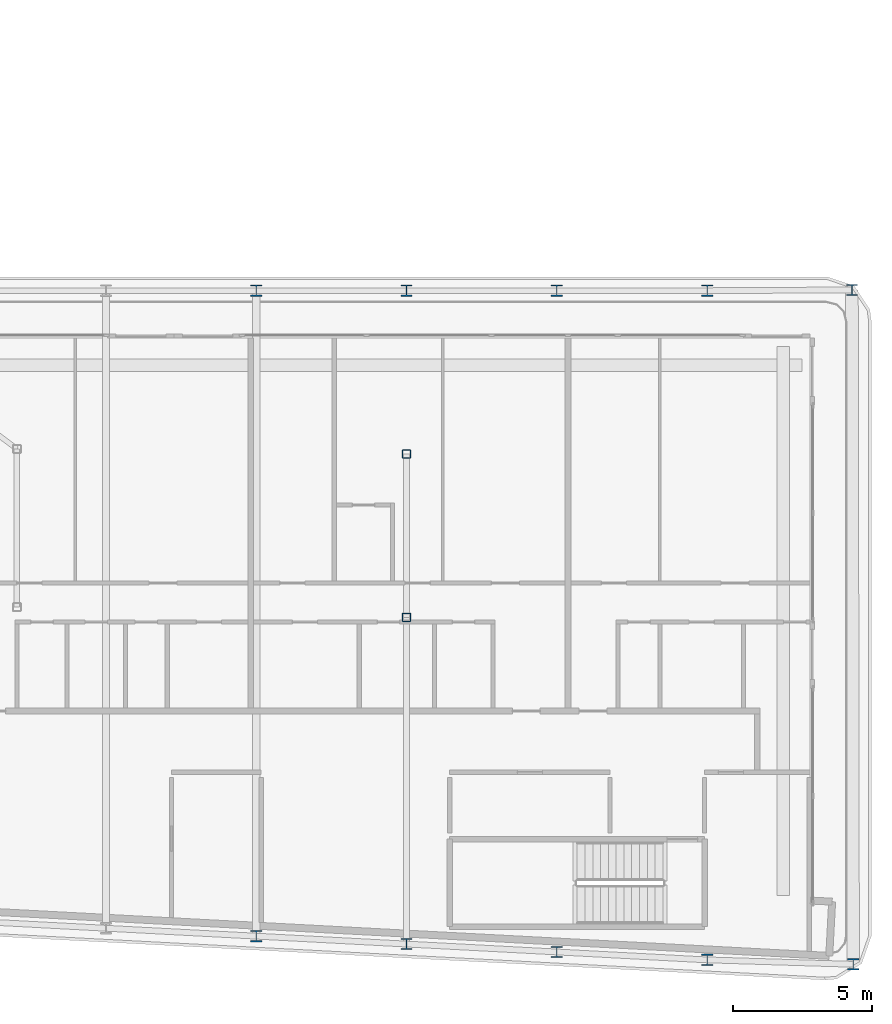
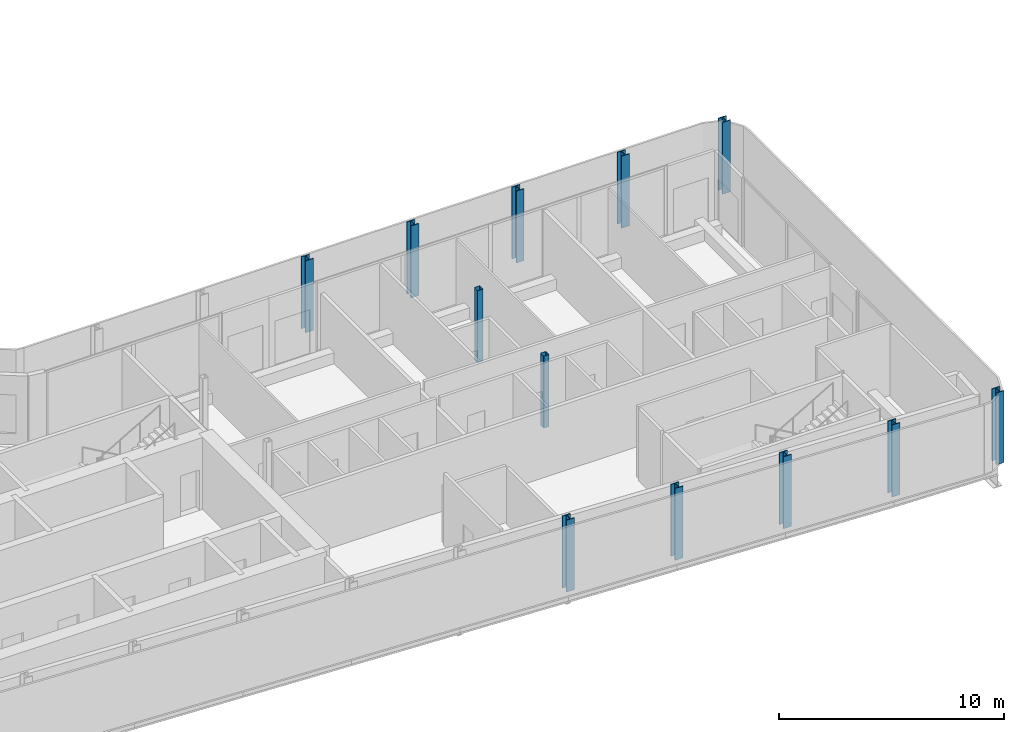
# One storey, part 2 of 22: 12 columns.
"""IFC4 building model written with IfcOpenShell, lengths in metres."""

from ifc_helpers import new_model, si_unit, direction, frame, origin, origin_2d, place, context, subcontext, project, spatial, hollow_rectangle, i_section, extrude, material, material_profile, profile_set, type_object, element, save


model = new_model("IFC4")

# Units and contexts
model_context = context("Model", 3, precision=1e-05, world=origin(), true_north=direction((0.0, 1.0)))
body_context = subcontext(model_context, "Body", "Model", "MODEL_VIEW")
ifc_project = project(units=[si_unit("LENGTHUNIT", "METRE"), si_unit("AREAUNIT", "SQUARE_METRE"), si_unit("VOLUMEUNIT", "CUBIC_METRE"), si_unit("PLANEANGLEUNIT", "RADIAN"), si_unit("MASSUNIT", "GRAM", prefix="KILO")], contexts=[model_context])

# Site, building, storey
site_placement = place(None, origin())
site = spatial("IfcSite", under=ifc_project, at=site_placement, CompositionType="ELEMENT")
building_placement = place(site_placement, origin())
building = spatial("IfcBuilding", under=site, at=building_placement, Name="Kheshtan School and Residences Tower", CompositionType="ELEMENT")
storey_placement = place(building_placement, frame((0.0, 0.0, 251.300048828125)))
storey = spatial("IfcBuildingStorey", under=building, at=storey_placement, Name="L59", CompositionType="ELEMENT", Elevation=251.300048828125)

# Columns
ifc_material_1 = material(Name="Steel ASTM A992 Grade 50", Category="steel")
ifc_material_profile_1 = material_profile(ifc_material_1, i_section(OverallWidth=0.404052734375, OverallDepth=0.406982421875, WebThickness=0.027099609375, FlangeThickness=0.043701171875, FilletRadius=0.01220703125, at=origin_2d()), Name="W360x347")
ifc_profile_set_1 = profile_set([ifc_material_profile_1], Name="Steel ASTM A992 Grade 50")
column_type_1 = type_object("IfcColumnType", Name="Column C4 W360x347 ASTM A992 Grade 50", PredefinedType="COLUMN", material=ifc_profile_set_1)
for number, where, z_axis, x_axis, name in (
    (1, (85.243896484375, 21.39990234375, 0.0), (0.0, 0.0, 1.0), (1.0, 0.0, 0.0), "Column C011"),
    (2, (80.0, 21.55810546875, 0.0), (0.0, 0.0, 1.0), (1.0, 0.0, 0.0), "Column C012"),
    (3, (74.60009765625, 21.843017578125, 0.0), (0.0, 0.0, 1.0), (1.0, 0.0, 0.0), "Column C013"),
    (4, (69.199951171875, 22.126953125, 0.0), (0.0, 0.0, 1.0), (1.0, 0.0, 0.0), "Column C014"),
    (5, (63.800048828125, 22.410888671875, 0.0), (0.0, 0.0, 1.0), (1.0, 0.0, 0.0), "Column C016"),
    (6, (63.800048828125, 45.60009765625, 0.0), (0.0, 0.0, 1.0), (1.0, 0.0, 0.0), "Column C063"),
    (7, (69.199951171875, 45.60009765625, 0.0), (0.0, 0.0, 1.0), (1.0, 0.0, 0.0), "Column C064"),
    (8, (74.60009765625, 45.60009765625, 0.0), (0.0, 0.0, 1.0), (1.0, 0.0, 0.0), "Column C065"),
    (9, (80.0, 45.60009765625, 0.0), (0.0, 0.0, 1.0), (1.0, 0.0, 0.0), "Column C066"),
    (10, (85.201904296875, 45.6279296875, 0.0), (0.0, 0.0, 1.0), (1.0, 0.0, 0.0), "Column C076"),
):
    element("IfcColumn", number, at=place(storey_placement, frame(where, z_axis=z_axis, x_axis=x_axis)), inside=storey, type_object=column_type_1, Name=name, PredefinedType="COLUMN", context=body_context, shape_type="SweptSolid", body=[
        extrude(i_section(OverallWidth=0.404052734375, OverallDepth=0.406982421875, WebThickness=0.027099609375, FlangeThickness=0.043701171875, FilletRadius=0.01220703125, at=origin_2d()), origin(), (0.0, 0.0, 1.0), 3.89990234375),
    ])
ifc_material_2 = material(Name="Steel ASTM A500 Grade C", Category="steel")
ifc_material_profile_2 = material_profile(ifc_material_2, hollow_rectangle(XDim=0.304931640625, YDim=0.304931640625, WallThickness=0.015869140625, InnerFilletRadius=0.015869140625, OuterFilletRadius=0.03173828125, at=origin_2d()), Name="HSS 305x305x15.9")
ifc_profile_set_2 = profile_set([ifc_material_profile_2], Name="Steel ASTM A500 Grade C")
column_type_2 = type_object("IfcColumnType", Name="Column IC2 HSS 305x305x15.9 ASTM A500 Grade C", PredefinedType="COLUMN", material=ifc_profile_set_2)
for number, where, z_axis, x_axis, name in (
    (11, (69.199951171875, 33.863037109375, 0.0), (0.0, 0.0, 1.0), (1.0, 0.0, 0.0), "Column C050"),
    (12, (69.199951171875, 39.73193359375, 0.0), (0.0, 0.0, 1.0), (1.0, 0.0, 0.0), "Column C054"),
):
    element("IfcColumn", number, at=place(storey_placement, frame(where, z_axis=z_axis, x_axis=x_axis)), inside=storey, type_object=column_type_2, Name=name, PredefinedType="COLUMN", context=body_context, shape_type="SweptSolid", body=[
        extrude(hollow_rectangle(XDim=0.304931640625, YDim=0.304931640625, WallThickness=0.015869140625, InnerFilletRadius=0.015869140625, OuterFilletRadius=0.03173828125, at=origin_2d()), origin(), (0.0, 0.0, 1.0), 3.89990234375),
    ])

save(model, "model.ifc")
